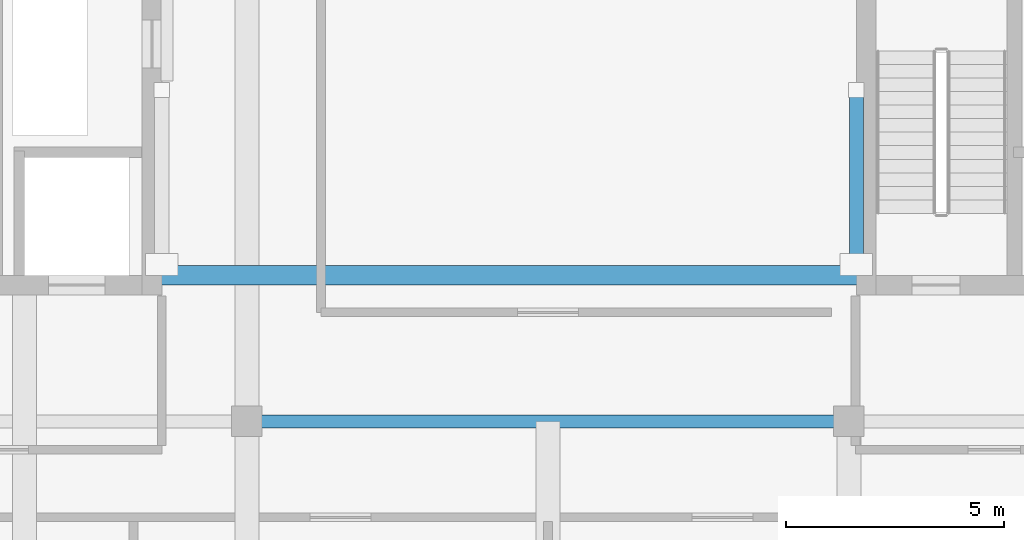
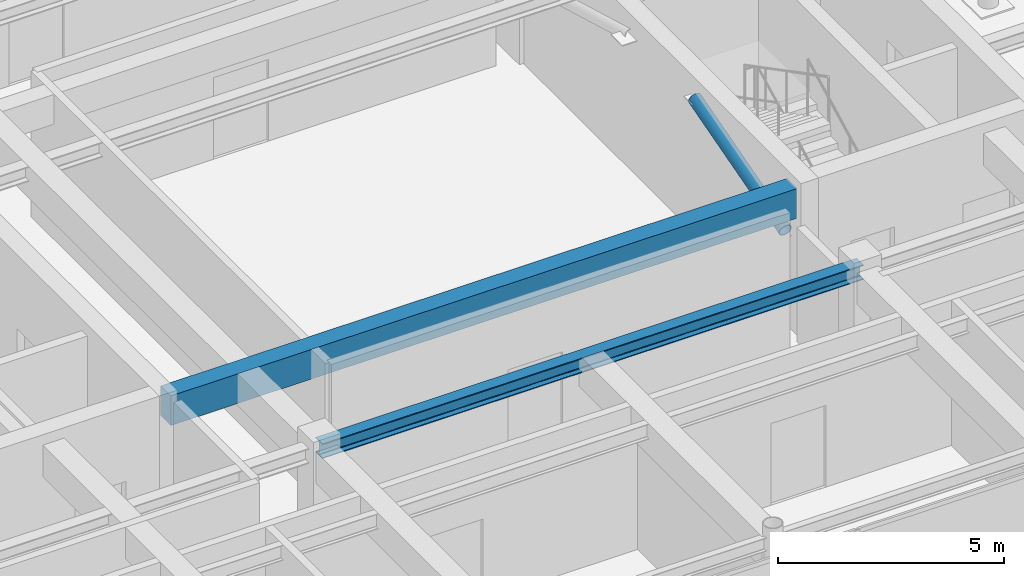
# One storey, part 10 of 32: 2 beams, 1 member.
"""IFC4 building model written with IfcOpenShell, lengths in metres."""

from ifc_helpers import new_model, si_unit, direction, frame, origin, origin_2d, place, context, subcontext, project, spatial, rectangle, hollow_circle, i_section, extrude, source, transform, mapped, material, material_profile, profile_set, type_object, element, save


model = new_model("IFC4")

# Units and contexts
model_context = context("Model", 3, precision=1e-05, world=origin(), true_north=direction((0.0, 1.0)))
body_context = subcontext(model_context, "Body", "Model", "MODEL_VIEW")
ifc_project = project(units=[si_unit("LENGTHUNIT", "METRE"), si_unit("AREAUNIT", "SQUARE_METRE"), si_unit("VOLUMEUNIT", "CUBIC_METRE"), si_unit("PLANEANGLEUNIT", "RADIAN"), si_unit("MASSUNIT", "GRAM", prefix="KILO")], contexts=[model_context])

# Site, building, storey
site_placement = place(None, origin())
site = spatial("IfcSite", under=ifc_project, at=site_placement, CompositionType="ELEMENT")
building_placement = place(site_placement, origin())
building = spatial("IfcBuilding", under=site, at=building_placement, Name="Khoralis Quay Care Tower", CompositionType="ELEMENT")
storey_placement = place(building_placement, frame((0.0, 0.0, 293.699951171875)))
storey = spatial("IfcBuildingStorey", under=building, at=storey_placement, Name="L77", CompositionType="ELEMENT", Elevation=293.699951171875)

# Beams
ifc_material_1 = material(Name="Concrete C50/60", Category="concrete")
ifc_material_profile_1 = material_profile(ifc_material_1, rectangle(XDim=0.449951171875, YDim=0.800048828125, at=origin_2d()), Name="Concrete C50/60")
ifc_profile_set_1 = profile_set([ifc_material_profile_1], Name="Concrete C50/60")
beam_type_1 = type_object("IfcBeamType", Name="CB-RC450X800", PredefinedType="LINTEL", material=ifc_profile_set_1)
shared_shape_1 = source(origin(), body_context, "Body", "SweptSolid", [
    extrude(rectangle(XDim=0.449951171875, YDim=0.800048828125, at=origin_2d()), origin(), (0.0, 0.0, 1.0), 15.97998046875),
])
beam_1_placement = place(storey_placement, frame((15.1201171875, 15.35009765625, 3.52001953125), z_axis=(1.0, 0.0, 0.0), x_axis=(0.0, 1.0, 0.0)))
element("IfcBeam", 1, at=beam_1_placement, inside=storey, type_object=beam_type_1, Name="L77 South Core Coupling Lintel", PredefinedType="LINTEL", context=body_context, shape_type="MappedRepresentation", body=[
    mapped(shared_shape_1, transform((0.0, 0.0, 0.0), scale=1.0)),
])
ifc_material_2 = material(Name="Steel S355", Category="steel")
ifc_material_profile_2 = material_profile(ifc_material_2, i_section(OverallWidth=0.300048828125, OverallDepth=0.39990234375, WebThickness=0.013427734375, FlangeThickness=0.02392578125, FilletRadius=0.027099609375, at=origin_2d()), Name="Steel S355")
ifc_profile_set_2 = profile_set([ifc_material_profile_2], Name="Steel S355")
beam_type_2 = type_object("IfcBeamType", Name="BM-HEB400", PredefinedType="BEAM", material=ifc_profile_set_2)
shared_shape_2 = source(origin(), body_context, "Body", "SweptSolid", [
    extrude(i_section(OverallWidth=0.300048828125, OverallDepth=0.39990234375, WebThickness=0.013427734375, FlangeThickness=0.02392578125, FilletRadius=0.027099609375, at=origin_2d()), origin(), (0.0, 0.0, 1.0), 13.7998046875),
])
beam_2_placement = place(storey_placement, frame((17.10009765625, 12.0, 3.719970703125), z_axis=(1.0, 0.0, 0.0), x_axis=(0.0, 1.0, 0.0)))
element("IfcBeam", 2, at=beam_2_placement, inside=storey, type_object=beam_type_2, Name="BM-TGCC-L77-120", PredefinedType="BEAM", context=body_context, shape_type="MappedRepresentation", body=[
    mapped(shared_shape_2, transform((0.0, 0.0, 0.0), scale=1.0)),
])

# Member
ifc_material_profile_3 = material_profile(ifc_material_2, hollow_circle(Radius=0.161865234375, WallThickness=0.01611328125, at=origin_2d()), Name="Steel S355")
ifc_profile_set_3 = profile_set([ifc_material_profile_3], Name="Steel S355")
member_type = type_object("IfcMemberType", Name="ST-CHS323X16", PredefinedType="STRUT", material=ifc_profile_set_3)
shared_shape_3 = source(origin(), body_context, "Body", "SweptSolid", [
    extrude(hollow_circle(Radius=0.161865234375, WallThickness=0.01611328125, at=origin_2d()), origin(), (0.0, 0.0, 1.0), 4.156494140625),
])
member_placement = place(storey_placement, frame((31.072021484375, 15.60009765625, 2.52001953125), z_axis=(0.0, 0.962328782221, 0.271888423639), x_axis=(-1.0, 0.0, 0.0)))
element("IfcMember", 3, at=member_placement, inside=storey, type_object=member_type, Name="L77 Lantern Diagrid Strut 3", PredefinedType="STRUT", context=body_context, shape_type="MappedRepresentation", body=[
    mapped(shared_shape_3, transform((0.0, 0.0, 0.0), scale=1.0)),
])

save(model, "model.ifc")
